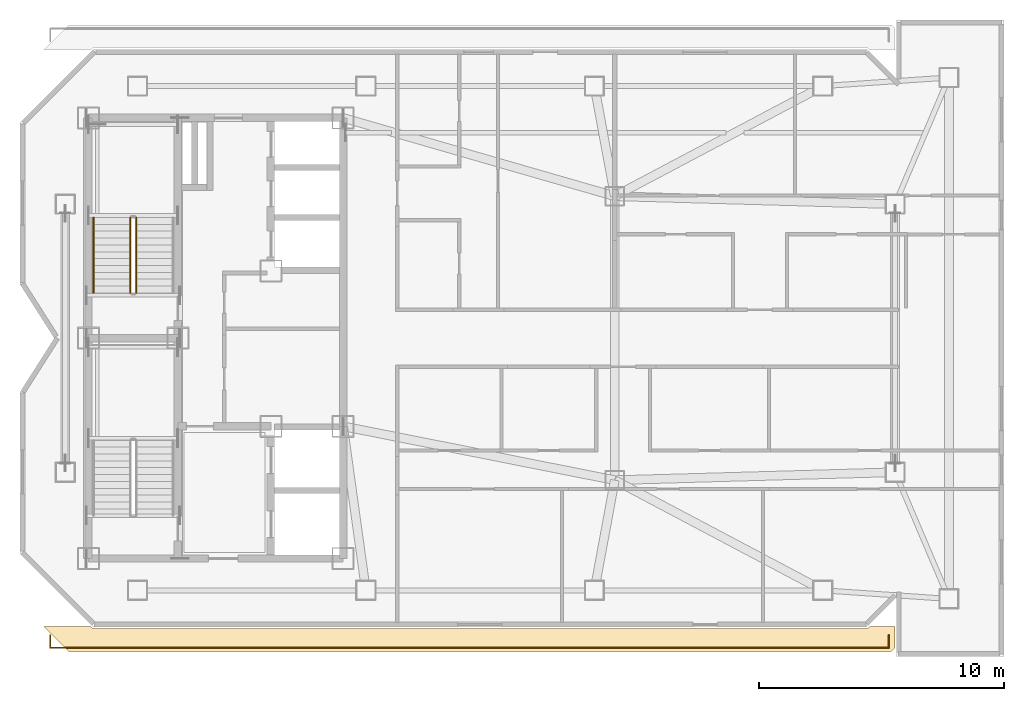
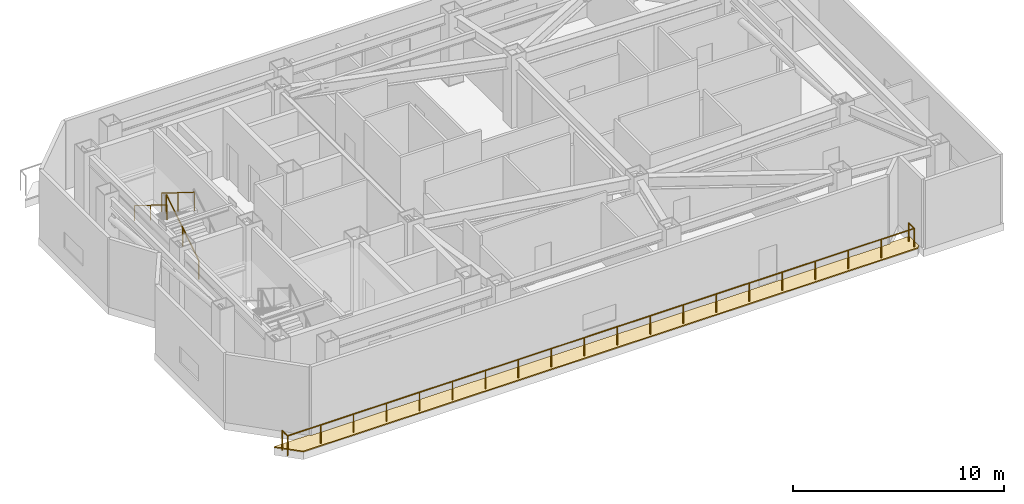
# One storey, part 8 of 10: 4 railings, 1 covering.
"""IFC4 building model written with IfcOpenShell, lengths in metres."""

from ifc_helpers import new_model, si_unit, direction, frame, origin, origin_2d, place, context, subcontext, project, spatial, polyline, circle, outline, extrude, material, layer, layer_set, type_object, element, save


model = new_model("IFC4")

# Units and contexts
model_context = context("Model", 3, precision=1e-05, world=origin(), true_north=direction((0.0, 1.0)))
body_context = subcontext(model_context, "Body", "Model", "MODEL_VIEW")
ifc_project = project(units=[si_unit("LENGTHUNIT", "METRE"), si_unit("AREAUNIT", "SQUARE_METRE"), si_unit("VOLUMEUNIT", "CUBIC_METRE"), si_unit("PLANEANGLEUNIT", "RADIAN"), si_unit("MASSUNIT", "GRAM", prefix="KILO")], contexts=[model_context])

# Site, building, storey
site_placement = place(None, origin())
site = spatial("IfcSite", under=ifc_project, at=site_placement, CompositionType="ELEMENT")
building_placement = place(site_placement, origin())
building = spatial("IfcBuilding", under=site, at=building_placement, Name="Khamvora Tower", CompositionType="ELEMENT")
storey_placement = place(building_placement, frame((0.0, 0.0, 294.64990234375)))
storey = spatial("IfcBuildingStorey", under=building, at=storey_placement, Name="L75", CompositionType="ELEMENT", Elevation=294.64990234375)

# Covering
ifc_material_1 = material(Name="Insulated Elastomeric Roof Waterproofing System", Category="membrane")
ifc_layer = layer(ifc_material_1, 0.0849609375)
ifc_layer_set = layer_set([ifc_layer], Name="Insulated Elastomeric Roof Waterproofing System")
covering_type = type_object("IfcCoveringType", Name="COV-ROOF-MEM", PredefinedType="ROOFING", material=ifc_layer_set)
covering_placement = place(storey_placement, origin())
element("IfcCovering", 1, at=covering_placement, inside=storey, type_object=covering_type, Name="L75 terrace waterproofing paving 1", PredefinedType="ROOFING", context=body_context, shape_type="SweptSolid", body=[
    extrude(outline(polyline([(28.199951171875, 15.199951171875), (27.179931640625, 16.219970703125), (29.094970703125, 16.219970703125), (29.157958984375, 16.157958984375), (29.162109375, 16.154052734375), (29.1669921875, 16.14990234375), (29.172119140625, 16.14697265625), (29.177001953125, 16.14501953125), (29.18310546875, 16.14306640625), (29.18798828125, 16.14111328125), (29.194091796875, 16.139892578125), (29.199951171875, 16.139892578125), (60.800048828125, 16.139892578125), (60.805908203125, 16.139892578125), (60.81201171875, 16.14111328125), (60.81689453125, 16.14306640625), (60.822998046875, 16.14501953125), (60.827880859375, 16.14697265625), (60.8330078125, 16.14990234375), (60.837890625, 16.154052734375), (60.842041015625, 16.157958984375), (60.905029296875, 16.219970703125), (61.93994140625, 16.219970703125), (61.93994140625, 15.340087890625), (61.800048828125, 15.199951171875), (28.199951171875, 15.199951171875)])), origin(), (0.0, 0.0, 1.0), 0.065185546875),
])

# Railings
ifc_material_2 = material(Name="Brushed Stainless Steel 316", Category="steel")
railing_type_1 = type_object("IfcRailingType", Name="RAL-HDR-920", PredefinedType="HANDRAIL", material=ifc_material_2)
railing_1_placement = place(storey_placement, frame((29.199951171875, 32.929931640625, 2.275146484375)))
element("IfcRailing", 2, at=railing_1_placement, inside=storey, type_object=railing_type_1, Name="L75 ST-02 stair handrail 2", PredefinedType="HANDRAIL", context=body_context, shape_type="SweptSolid", body=[
    extrude(circle(Radius=0.02392578125, at=origin_2d()), frame((0.0, 0.0, 0.8759765625), z_axis=(0.0, -0.847979421464, 0.530029150871), x_axis=(1.0, 0.0, 0.0)), (0.0, 0.0, 1.0), 3.632080078125),
    extrude(circle(Radius=0.02099609375, at=origin_2d()), origin(), (0.0, 0.0, 1.0), 0.851806640625),
    extrude(circle(Radius=0.02099609375, at=origin_2d()), frame((0.0, -1.5400390625, 0.96240234375)), (0.0, 0.0, 1.0), 0.851806640625),
    extrude(circle(Radius=0.02099609375, at=origin_2d()), frame((0.0, -3.079833984375, 1.925048828125)), (0.0, 0.0, 1.0), 0.851806640625),
])
ifc_material_3 = material(Name="Laminated Structural Safety Glass and Stainless Steel", Category="steel")
railing_type_2 = type_object("IfcRailingType", Name="RAL-POOL-1150", PredefinedType="BALUSTRADE", material=ifc_material_3)
railing_2_placement = place(storey_placement, frame((27.429931640625, 15.8701171875, 0.0)))
element("IfcRailing", 3, at=railing_2_placement, inside=storey, type_object=railing_type_2, Name="L75 stepped roof terrace balustrade 1", PredefinedType="BALUSTRADE", context=body_context, shape_type="SweptSolid", body=[
    extrude(circle(Radius=0.02392578125, at=origin_2d()), frame((0.0, 0.0, 1.1259765625), z_axis=(0.0, -1.0, 0.0), x_axis=(1.0, 0.0, 0.0)), (0.0, 0.0, 1.0), 0.52001953125),
    extrude(circle(Radius=0.02392578125, at=origin_2d()), frame((0.0, -0.52001953125, 1.1259765625), z_axis=(1.0, 0.0, 0.0), x_axis=(0.0, 1.0, 0.0)), (0.0, 0.0, 1.0), 34.260009765625),
    extrude(circle(Radius=0.02392578125, at=origin_2d()), frame((34.260009765625, -0.52001953125, 1.1259765625), z_axis=(0.0, 1.0, 0.0), x_axis=(-1.0, 0.0, 0.0)), (0.0, 0.0, 1.0), 0.52001953125),
    extrude(circle(Radius=0.02099609375, at=origin_2d()), origin(), (0.0, 0.0, 1.0), 1.101806640625),
    extrude(circle(Radius=0.02099609375, at=origin_2d()), frame((0.0, -0.52001953125, 0.0)), (0.0, 0.0, 1.0), 1.101806640625),
    extrude(circle(Radius=0.02099609375, at=origin_2d()), frame((1.80322265625, -0.52001953125, 0.0)), (0.0, 0.0, 1.0), 1.101806640625),
    extrude(circle(Radius=0.02099609375, at=origin_2d()), frame((3.606201171875, -0.52001953125, 0.0)), (0.0, 0.0, 1.0), 1.101806640625),
    extrude(circle(Radius=0.02099609375, at=origin_2d()), frame((5.409423828125, -0.52001953125, 0.0)), (0.0, 0.0, 1.0), 1.101806640625),
    extrude(circle(Radius=0.02099609375, at=origin_2d()), frame((7.212646484375, -0.52001953125, 0.0)), (0.0, 0.0, 1.0), 1.101806640625),
    extrude(circle(Radius=0.02099609375, at=origin_2d()), frame((9.015869140625, -0.52001953125, 0.0)), (0.0, 0.0, 1.0), 1.101806640625),
    extrude(circle(Radius=0.02099609375, at=origin_2d()), frame((10.81884765625, -0.52001953125, 0.0)), (0.0, 0.0, 1.0), 1.101806640625),
    extrude(circle(Radius=0.02099609375, at=origin_2d()), frame((12.6220703125, -0.52001953125, 0.0)), (0.0, 0.0, 1.0), 1.101806640625),
    extrude(circle(Radius=0.02099609375, at=origin_2d()), frame((14.42529296875, -0.52001953125, 0.0)), (0.0, 0.0, 1.0), 1.101806640625),
    extrude(circle(Radius=0.02099609375, at=origin_2d()), frame((16.228515625, -0.52001953125, 0.0)), (0.0, 0.0, 1.0), 1.101806640625),
    extrude(circle(Radius=0.02099609375, at=origin_2d()), frame((18.031494140625, -0.52001953125, 0.0)), (0.0, 0.0, 1.0), 1.101806640625),
    extrude(circle(Radius=0.02099609375, at=origin_2d()), frame((19.834716796875, -0.52001953125, 0.0)), (0.0, 0.0, 1.0), 1.101806640625),
    extrude(circle(Radius=0.02099609375, at=origin_2d()), frame((21.637939453125, -0.52001953125, 0.0)), (0.0, 0.0, 1.0), 1.101806640625),
    extrude(circle(Radius=0.02099609375, at=origin_2d()), frame((23.441162109375, -0.52001953125, 0.0)), (0.0, 0.0, 1.0), 1.101806640625),
    extrude(circle(Radius=0.02099609375, at=origin_2d()), frame((25.244140625, -0.52001953125, 0.0)), (0.0, 0.0, 1.0), 1.101806640625),
    extrude(circle(Radius=0.02099609375, at=origin_2d()), frame((27.04736328125, -0.52001953125, 0.0)), (0.0, 0.0, 1.0), 1.101806640625),
    extrude(circle(Radius=0.02099609375, at=origin_2d()), frame((28.8505859375, -0.52001953125, 0.0)), (0.0, 0.0, 1.0), 1.101806640625),
    extrude(circle(Radius=0.02099609375, at=origin_2d()), frame((30.65380859375, -0.52001953125, 0.0)), (0.0, 0.0, 1.0), 1.101806640625),
    extrude(circle(Radius=0.02099609375, at=origin_2d()), frame((32.456787109375, -0.52001953125, 0.0)), (0.0, 0.0, 1.0), 1.101806640625),
    extrude(circle(Radius=0.02099609375, at=origin_2d()), frame((34.260009765625, -0.52001953125, 0.0)), (0.0, 0.0, 1.0), 1.101806640625),
    extrude(circle(Radius=0.02099609375, at=origin_2d()), frame((34.260009765625, 0.0, 0.0)), (0.0, 0.0, 1.0), 1.101806640625),
])
ifc_material_4 = material(Name="Stainless Steel 316", Category="steel")
railing_type_3 = type_object("IfcRailingType", Name="RAL-STG-1100", PredefinedType="GUARDRAIL", material=ifc_material_4)
railing_3_placement = place(storey_placement, frame((30.949951171875, 29.85009765625, 0.175048828125)))
element("IfcRailing", 4, at=railing_3_placement, inside=storey, type_object=railing_type_3, Name="L75 ST-02 stair guard 1", PredefinedType="GUARDRAIL", context=body_context, shape_type="SweptSolid", body=[
    extrude(circle(Radius=0.02392578125, at=origin_2d()), frame((0.0, 0.0, 1.076171875), z_axis=(0.0, 0.847979421464, 0.530029150871), x_axis=(-1.0, 0.0, 0.0)), (0.0, 0.0, 1.0), 3.632080078125),
    extrude(circle(Radius=0.02099609375, at=origin_2d()), origin(), (0.0, 0.0, 1.0), 1.052001953125),
    extrude(circle(Radius=0.02099609375, at=origin_2d()), frame((0.0, 1.5400390625, 0.96240234375)), (0.0, 0.0, 1.0), 1.052001953125),
    extrude(circle(Radius=0.02099609375, at=origin_2d()), frame((0.0, 3.079833984375, 1.925048828125)), (0.0, 0.0, 1.0), 1.052001953125),
])
railing_4_placement = place(storey_placement, frame((30.699951171875, 32.929931640625, 2.275146484375)))
element("IfcRailing", 5, at=railing_4_placement, inside=storey, type_object=railing_type_3, Name="L75 ST-02 stair guard 3", PredefinedType="GUARDRAIL", context=body_context, shape_type="SweptSolid", body=[
    extrude(circle(Radius=0.02392578125, at=origin_2d()), frame((0.0, 0.0, 1.076171875), z_axis=(0.0, -0.847979421464, 0.530029150871), x_axis=(1.0, 0.0, 0.0)), (0.0, 0.0, 1.0), 3.632080078125),
    extrude(circle(Radius=0.02099609375, at=origin_2d()), origin(), (0.0, 0.0, 1.0), 1.052001953125),
    extrude(circle(Radius=0.02099609375, at=origin_2d()), frame((0.0, -1.5400390625, 0.96240234375)), (0.0, 0.0, 1.0), 1.052001953125),
    extrude(circle(Radius=0.02099609375, at=origin_2d()), frame((0.0, -3.079833984375, 1.925048828125)), (0.0, 0.0, 1.0), 1.052001953125),
])

save(model, "model.ifc")
